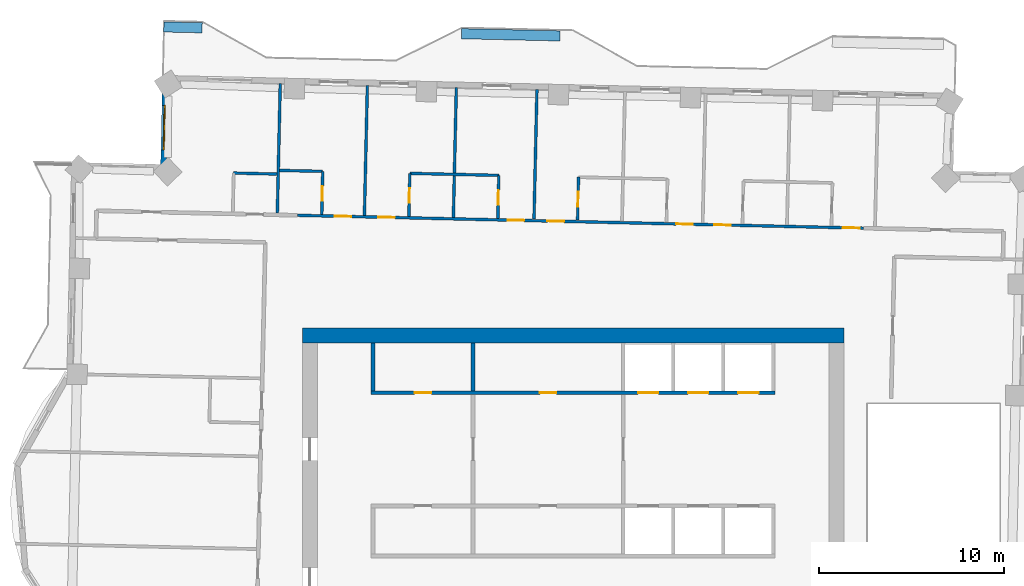
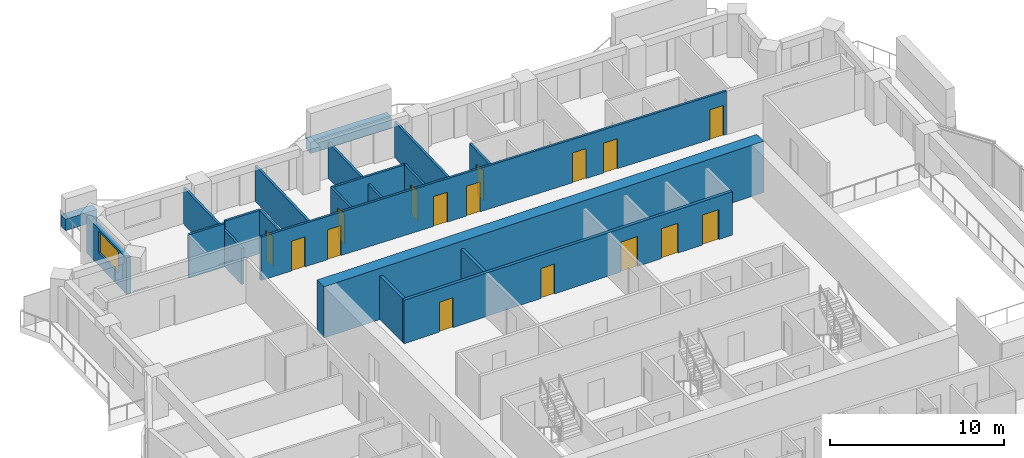
# One storey, part 8 of 14: 19 walls, 16 doors, 1 window, 17 openings.
"""IFC4 building model written with IfcOpenShell, lengths in metres."""

from ifc_helpers import new_model, si_unit, direction, frame, frame_2d, origin, place, context, subcontext, project, spatial, rectangle, extrude, material, layer, layer_set, type_object, element, fill, save


model = new_model("IFC4")

# Units and contexts
model_context = context("Model", 3, precision=1e-05, world=origin(), true_north=direction((0.0, 1.0)))
body_context = subcontext(model_context, "Body", "Model", "MODEL_VIEW")
ifc_project = project(units=[si_unit("LENGTHUNIT", "METRE"), si_unit("AREAUNIT", "SQUARE_METRE"), si_unit("VOLUMEUNIT", "CUBIC_METRE"), si_unit("PLANEANGLEUNIT", "RADIAN"), si_unit("MASSUNIT", "GRAM", prefix="KILO")], contexts=[model_context])

# Site, building, storey
site_placement = place(None, origin())
site = spatial("IfcSite", under=ifc_project, at=site_placement, CompositionType="ELEMENT")
building_placement = place(site_placement, origin())
building = spatial("IfcBuilding", under=site, at=building_placement, Name="Mangrove Gate Tower", CompositionType="ELEMENT")
storey_placement = place(building_placement, frame((0.0, 0.0, 208.699951171875)))
storey = spatial("IfcBuildingStorey", under=building, at=storey_placement, Name="L53", CompositionType="ELEMENT", Elevation=208.699951171875)

# Walls
ifc_material_1 = material(Name="Concrete C32/40", Category="concrete")
ifc_layer_1 = layer(ifc_material_1, 0.199951171875)
ifc_layer_set_1 = layer_set([ifc_layer_1], Name="Core room wall 200 C32/40")
wall_type_1 = type_object("IfcWallType", Name="Core room wall 200 C32/40", PredefinedType="STANDARD", material=ifc_layer_set_1)
for number, where, z_axis, x_axis, name in (
    (1, (-10.800048828125, 8.199951171875, 0.0), (0.0, 0.0, 1.0), (0.0, 1.0, 0.0), "WALL-L53-CORE-25"),
    (2, (-5.39990234375, 8.199951171875, 0.0), (0.0, 0.0, 1.0), (0.0, 1.0, 0.0), "WALL-L53-CORE-26"),
):
    element("IfcWall", number, at=place(storey_placement, frame(where, z_axis=z_axis, x_axis=x_axis)), inside=storey, type_object=wall_type_1, Name=name, PredefinedType="STANDARD", context=body_context, shape_type="SweptSolid", body=[
        extrude(rectangle(XDim=2.60009765625, YDim=0.199951171875, at=frame_2d((1.300048828125, 0.0))), origin(), (0.0, 0.0, 1.0), 3.050048828125),
    ])

# Wall, openings, doors
ifc_material_2 = material(Name="Concrete C60/75", Category="concrete")
ifc_layer_2 = layer(ifc_material_2, 0.199951171875)
ifc_layer_set_2 = layer_set([ifc_layer_2], Name="Core shaft wall 200 C60/75")
wall_type_2 = type_object("IfcWallType", Name="Core shaft wall 200 C60/75", PredefinedType="SHEAR", material=ifc_layer_set_2)
wall_1_placement = place(storey_placement, frame((-10.89990234375, 8.10009765625, 0.0), z_axis=(0.0, 0.0, 1.0), x_axis=(1.0, 0.0, 0.0)))
wall_1 = element("IfcWall", 3, at=wall_1_placement, inside=storey, type_object=wall_type_2, Name="WALL-L53-CORE-8", PredefinedType="SHEAR", context=body_context, shape_type="SweptSolid", body=[
    extrude(rectangle(XDim=21.7998046875, YDim=0.199951171875, at=frame_2d((10.89990234375, 0.0))), origin(), (0.0, 0.0, 1.0), 3.050048828125),
])
opening_1_placement = place(wall_1_placement, frame((14.39990234375, 0.0, 0.0)))
opening_1 = element("IfcOpeningElement", 4, at=opening_1_placement, cuts=wall_1, Name="Opening LD", PredefinedType="OPENING", context=body_context, shape_type="SweptSolid", body=[
    extrude(rectangle(XDim=1.10009765625, YDim=2.10009765625, at=frame_2d((0.550048828125, 1.050048828125))), frame((0.0, 0.10986328125, 0.0), z_axis=(0.0, -1.0, 0.0), x_axis=(1.0, 0.0, 0.0)), (0.0, 0.0, 1.0), 0.219970703125),
])
opening_2_placement = place(wall_1_placement, frame((17.10009765625, 0.0, 0.0)))
opening_2 = element("IfcOpeningElement", 5, at=opening_2_placement, cuts=wall_1, Name="Opening LD", PredefinedType="OPENING", context=body_context, shape_type="SweptSolid", body=[
    extrude(rectangle(XDim=1.10009765625, YDim=2.10009765625, at=frame_2d((0.550048828125, 1.050048828125))), frame((0.0, 0.10986328125, 0.0), z_axis=(0.0, -1.0, 0.0), x_axis=(1.0, 0.0, 0.0)), (0.0, 0.0, 1.0), 0.219970703125),
])
opening_3_placement = place(wall_1_placement, frame((19.800048828125, 0.0, 0.0)))
opening_3 = element("IfcOpeningElement", 6, at=opening_3_placement, cuts=wall_1, Name="Opening LD", PredefinedType="OPENING", context=body_context, shape_type="SweptSolid", body=[
    extrude(rectangle(XDim=1.10009765625, YDim=2.10009765625, at=frame_2d((0.550048828125, 1.050048828125))), frame((0.0, 0.10986328125, 0.0), z_axis=(0.0, -1.0, 0.0), x_axis=(1.0, 0.0, 0.0)), (0.0, 0.0, 1.0), 0.219970703125),
])
opening_4_placement = place(wall_1_placement, frame((2.35009765625, 0.0, 0.0)))
opening_4 = element("IfcOpeningElement", 7, at=opening_4_placement, cuts=wall_1, Name="Opening KD", PredefinedType="OPENING", context=body_context, shape_type="SweptSolid", body=[
    extrude(rectangle(XDim=0.89990234375, YDim=2.10009765625, at=frame_2d((0.449951171875, 1.050048828125))), frame((0.0, 0.10986328125, 0.0), z_axis=(0.0, -1.0, 0.0), x_axis=(1.0, 0.0, 0.0)), (0.0, 0.0, 1.0), 0.219970703125),
])
opening_5_placement = place(wall_1_placement, frame((9.10009765625, 0.0, 0.0)))
opening_5 = element("IfcOpeningElement", 8, at=opening_5_placement, cuts=wall_1, Name="Opening KD", PredefinedType="OPENING", context=body_context, shape_type="SweptSolid", body=[
    extrude(rectangle(XDim=0.89990234375, YDim=2.10009765625, at=frame_2d((0.449951171875, 1.050048828125))), frame((0.0, 0.10986328125, 0.0), z_axis=(0.0, -1.0, 0.0), x_axis=(1.0, 0.0, 0.0)), (0.0, 0.0, 1.0), 0.219970703125),
])
ifc_material_3 = material(Name="Fire-rated steel door set", Category="steel")
door_type_1 = type_object("IfcDoorType", Name="Core room door FD30S 900x2100", OperationType="SINGLE_SWING_RIGHT", PredefinedType="DOOR", material=ifc_material_3)
door_1_placement = place(opening_4_placement, origin())
door_1 = element("IfcDoor", 9, at=door_1_placement, inside=storey, type_object=door_type_1, Name="Core room door Core WC", OperationType="SINGLE_SWING_RIGHT", OverallHeight=2.10009765625, OverallWidth=0.89990234375, PredefinedType="DOOR", context=body_context, shape_type="SweptSolid", body=[
    extrude(rectangle(XDim=0.89990234375, YDim=2.10009765625, at=frame_2d((0.449951171875, 1.050048828125))), frame((0.0, 0.02490234375, 0.0), z_axis=(0.0, -1.0, 0.0), x_axis=(1.0, 0.0, 0.0)), (0.0, 0.0, 1.0), 0.050048828125),
])
fill(opening_4, door_1)
door_2_placement = place(opening_5_placement, origin())
door_2 = element("IfcDoor", 10, at=door_2_placement, inside=storey, type_object=door_type_1, Name="Core room door Pantry store", OperationType="SINGLE_SWING_RIGHT", OverallHeight=2.10009765625, OverallWidth=0.89990234375, PredefinedType="DOOR", context=body_context, shape_type="SweptSolid", body=[
    extrude(rectangle(XDim=0.89990234375, YDim=2.10009765625, at=frame_2d((0.449951171875, 1.050048828125))), frame((0.0, 0.02490234375, 0.0), z_axis=(0.0, -1.0, 0.0), x_axis=(1.0, 0.0, 0.0)), (0.0, 0.0, 1.0), 0.050048828125),
])
fill(opening_5, door_2)
ifc_material_4 = material(Name="Stainless steel 316", Category="steel")
door_type_2 = type_object("IfcDoorType", Name="Lift landing door 1100x2100", OperationType="SLIDING_TO_LEFT", PredefinedType="DOOR", material=ifc_material_4)
door_3_placement = place(opening_1_placement, origin())
door_3 = element("IfcDoor", 11, at=door_3_placement, inside=storey, type_object=door_type_2, Name="Landing door LD M04", OperationType="SLIDING_TO_LEFT", OverallHeight=2.10009765625, OverallWidth=1.10009765625, PredefinedType="DOOR", context=body_context, shape_type="SweptSolid", body=[
    extrude(rectangle(XDim=1.10009765625, YDim=2.10009765625, at=frame_2d((0.550048828125, 1.050048828125))), frame((0.0, 0.02490234375, 0.0), z_axis=(0.0, -1.0, 0.0), x_axis=(1.0, 0.0, 0.0)), (0.0, 0.0, 1.0), 0.050048828125),
])
fill(opening_1, door_3)
door_4_placement = place(opening_2_placement, origin())
door_4 = element("IfcDoor", 12, at=door_4_placement, inside=storey, type_object=door_type_2, Name="Landing door LD M05", OperationType="SLIDING_TO_LEFT", OverallHeight=2.10009765625, OverallWidth=1.10009765625, PredefinedType="DOOR", context=body_context, shape_type="SweptSolid", body=[
    extrude(rectangle(XDim=1.10009765625, YDim=2.10009765625, at=frame_2d((0.550048828125, 1.050048828125))), frame((0.0, 0.02490234375, 0.0), z_axis=(0.0, -1.0, 0.0), x_axis=(1.0, 0.0, 0.0)), (0.0, 0.0, 1.0), 0.050048828125),
])
fill(opening_2, door_4)
door_5_placement = place(opening_3_placement, origin())
door_5 = element("IfcDoor", 13, at=door_5_placement, inside=storey, type_object=door_type_2, Name="Landing door LD M06", OperationType="SLIDING_TO_LEFT", OverallHeight=2.10009765625, OverallWidth=1.10009765625, PredefinedType="DOOR", context=body_context, shape_type="SweptSolid", body=[
    extrude(rectangle(XDim=1.10009765625, YDim=2.10009765625, at=frame_2d((0.550048828125, 1.050048828125))), frame((0.0, 0.02490234375, 0.0), z_axis=(0.0, -1.0, 0.0), x_axis=(1.0, 0.0, 0.0)), (0.0, 0.0, 1.0), 0.050048828125),
])
fill(opening_3, door_5)

# Wall
ifc_material_5 = material(Name="Concrete C60/75", Category="concrete")
ifc_layer_3 = layer(ifc_material_5, 0.800048828125)
ifc_layer_set_3 = layer_set([ifc_layer_3], Name="Core wall 800 C60/75")
wall_type_3 = type_object("IfcWallType", Name="Core wall 800 C60/75", PredefinedType="SHEAR", material=ifc_layer_set_3)
wall_2_placement = place(storey_placement, frame((-14.60009765625, 11.199951171875, 0.0), z_axis=(0.0, 0.0, 1.0), x_axis=(1.0, 0.0, 0.0)))
element("IfcWall", 14, at=wall_2_placement, inside=storey, type_object=wall_type_3, Name="WALL-L53-CORE-2", PredefinedType="SHEAR", context=body_context, shape_type="SweptSolid", body=[
    extrude(rectangle(XDim=29.2001953125, YDim=0.800048828125, at=frame_2d((14.60009765625, 0.0))), origin(), (0.0, 0.0, 1.0), 3.60009765625),
])

# Wall, opening, window
ifc_material_6 = material(Name="Limestone", Category="masonry")
ifc_layer_4 = layer(ifc_material_6, 0.0400390625, Name="Limestone cladding")
ifc_material_7 = material(Name="Ventilated air gap")
ifc_layer_5 = layer(ifc_material_7, 0.0400390625, Name="Ventilated cavity")
ifc_material_8 = material(Name="Mineral wool insulation")
ifc_layer_6 = layer(ifc_material_8, 0.06005859375, Name="Insulation")
ifc_material_9 = material(Name="Breather membrane")
ifc_layer_7 = layer(ifc_material_9, 0.001953125, Name="Breather membrane")
ifc_material_10 = material(Name="Concrete C20/25 blockwork", Category="masonry")
ifc_layer_8 = layer(ifc_material_10, 0.14990234375, Name="Blockwork backing wall")
ifc_material_11 = material(Name="Gypsum plaster")
ifc_layer_9 = layer(ifc_material_11, 0.008056640625, Name="Internal plaster")
ifc_layer_set_4 = layer_set([ifc_layer_4, ifc_layer_5, ifc_layer_6, ifc_layer_7, ifc_layer_8, ifc_layer_9], Name="External wall 300 limestone cladding")
wall_type_4 = type_object("IfcWallType", Name="External wall 300 limestone cladding", PredefinedType="SOLIDWALL", material=ifc_layer_set_4)
wall_3_placement = place(storey_placement, frame((-21.99609375, 25.069091796875, 0.0), z_axis=(0.0, 0.0, 1.0), x_axis=(-0.022683280499, -0.999742701292, 0.0)))
wall_3 = element("IfcWall", 15, at=wall_3_placement, inside=storey, type_object=wall_type_4, Name="WALL-L53-W6", PredefinedType="SOLIDWALL", context=body_context, shape_type="SweptSolid", body=[
    extrude(rectangle(XDim=4.80029296875, YDim=0.300048828125, at=frame_2d((2.400146484375, 0.0))), origin(), (0.0, 0.0, 1.0), 2.550048828125),
])
opening_6_placement = place(wall_3_placement, frame((1.466064453125, 0.0, 0.89990234375)))
opening_6 = element("IfcOpeningElement", 16, at=opening_6_placement, cuts=wall_3, Name="Opening W2", PredefinedType="OPENING", context=body_context, shape_type="SweptSolid", body=[
    extrude(rectangle(XDim=2.39990234375, YDim=1.5, at=frame_2d((1.199951171875, 0.75))), frame((0.0, 0.159912109375, 0.0), z_axis=(0.0, -1.0, 0.0), x_axis=(1.0, 0.0, 0.0)), (0.0, 0.0, 1.0), 0.320068359375),
])
ifc_material_12 = material(Name="Aluminium frame with double-glazed low-e glass", Category="aluminium")
window_type = type_object("IfcWindowType", Name="Corner room window 2400x1500", PartitioningType="DOUBLE_PANEL_VERTICAL", PredefinedType="WINDOW", material=ifc_material_12)
window_placement = place(opening_6_placement, origin())
window = element("IfcWindow", 17, at=window_placement, inside=storey, type_object=window_type, Name="WIN-L53-W6-1", OverallHeight=1.5, OverallWidth=2.39990234375, PartitioningType="DOUBLE_PANEL_VERTICAL", PredefinedType="WINDOW", context=body_context, shape_type="SweptSolid", body=[
    extrude(rectangle(XDim=2.39990234375, YDim=1.5, at=frame_2d((1.199951171875, 0.75))), frame((0.0, 0.030029296875, 0.0), z_axis=(0.0, -1.0, 0.0), x_axis=(1.0, 0.0, 0.0)), (0.0, 0.0, 1.0), 0.06005859375),
])
fill(opening_6, window)

# Wall, openings, doors
ifc_material_13 = material(Name="Gypsum board on steel stud, EI 60", Category="steel")
ifc_layer_10 = layer(ifc_material_13, 0.14990234375)
ifc_layer_set_5 = layer_set([ifc_layer_10], Name="Party wall 150 EI 60")
wall_type_5 = type_object("IfcWallType", Name="Party wall 150 EI 60", PredefinedType="PARTITIONING", material=ifc_layer_set_5)
wall_4_placement = place(storey_placement, frame((-14.87109375, 17.675048828125, 0.0), z_axis=(0.0, 0.0, 1.0), x_axis=(0.999742359486, -0.02269834024, 0.0)))
wall_4 = element("IfcWall", 18, at=wall_4_placement, inside=storey, type_object=wall_type_5, Name="WALL-L53-052", PredefinedType="PARTITIONING", context=body_context, shape_type="SweptSolid", body=[
    extrude(rectangle(XDim=30.535888671875, YDim=0.14990234375, at=frame_2d((15.26806640625, 0.0))), origin(), (0.0, 0.0, 1.0), 3.050048828125),
])
opening_7_placement = place(wall_4_placement, frame((29.43603515625, 0.0, 0.0)))
opening_7 = element("IfcOpeningElement", 19, at=opening_7_placement, cuts=wall_4, Name="Opening BD", PredefinedType="OPENING", context=body_context, shape_type="SweptSolid", body=[
    extrude(rectangle(XDim=0.89990234375, YDim=2.10009765625, at=frame_2d((0.449951171875, 1.050048828125))), frame((0.0, 0.0849609375, 0.0), z_axis=(0.0, -1.0, 0.0), x_axis=(1.0, 0.0, 0.0)), (0.0, 0.0, 1.0), 0.169921875),
])
opening_8_placement = place(wall_4_placement, frame((22.48388671875, 0.0, 0.0)))
opening_8 = element("IfcOpeningElement", 20, at=opening_8_placement, cuts=wall_4, Name="Opening BD", PredefinedType="OPENING", context=body_context, shape_type="SweptSolid", body=[
    extrude(rectangle(XDim=0.89990234375, YDim=2.10009765625, at=frame_2d((0.449951171875, 1.050048828125))), frame((0.0, 0.0849609375, 0.0), z_axis=(0.0, -1.0, 0.0), x_axis=(1.0, 0.0, 0.0)), (0.0, 0.0, 1.0), 0.169921875),
])
opening_9_placement = place(wall_4_placement, frame((20.43408203125, 0.0, 0.0)))
opening_9 = element("IfcOpeningElement", 21, at=opening_9_placement, cuts=wall_4, Name="Opening BD", PredefinedType="OPENING", context=body_context, shape_type="SweptSolid", body=[
    extrude(rectangle(XDim=0.89990234375, YDim=2.10009765625, at=frame_2d((0.449951171875, 1.050048828125))), frame((0.0, 0.0849609375, 0.0), z_axis=(0.0, -1.0, 0.0), x_axis=(1.0, 0.0, 0.0)), (0.0, 0.0, 1.0), 0.169921875),
])
opening_10_placement = place(wall_4_placement, frame((13.48388671875, 0.0, 0.0)))
opening_10 = element("IfcOpeningElement", 22, at=opening_10_placement, cuts=wall_4, Name="Opening BD", PredefinedType="OPENING", context=body_context, shape_type="SweptSolid", body=[
    extrude(rectangle(XDim=0.89990234375, YDim=2.10009765625, at=frame_2d((0.449951171875, 1.050048828125))), frame((0.0, 0.0849609375, 0.0), z_axis=(0.0, -1.0, 0.0), x_axis=(1.0, 0.0, 0.0)), (0.0, 0.0, 1.0), 0.169921875),
])
opening_11_placement = place(wall_4_placement, frame((11.333984375, 0.0, 0.0)))
opening_11 = element("IfcOpeningElement", 23, at=opening_11_placement, cuts=wall_4, Name="Opening BD", PredefinedType="OPENING", context=body_context, shape_type="SweptSolid", body=[
    extrude(rectangle(XDim=0.89990234375, YDim=2.10009765625, at=frame_2d((0.449951171875, 1.050048828125))), frame((0.0, 0.0849609375, 0.0), z_axis=(0.0, -1.0, 0.0), x_axis=(1.0, 0.0, 0.0)), (0.0, 0.0, 1.0), 0.169921875),
])
opening_12_placement = place(wall_4_placement, frame((4.35888671875, 0.0, 0.0)))
opening_12 = element("IfcOpeningElement", 24, at=opening_12_placement, cuts=wall_4, Name="Opening BD", PredefinedType="OPENING", context=body_context, shape_type="SweptSolid", body=[
    extrude(rectangle(XDim=0.89990234375, YDim=2.10009765625, at=frame_2d((0.449951171875, 1.050048828125))), frame((0.0, 0.0849609375, 0.0), z_axis=(0.0, -1.0, 0.0), x_axis=(1.0, 0.0, 0.0)), (0.0, 0.0, 1.0), 0.169921875),
])
opening_13_placement = place(wall_4_placement, frame((2.009033203125, 0.0, 0.0)))
opening_13 = element("IfcOpeningElement", 25, at=opening_13_placement, cuts=wall_4, Name="Opening BD", PredefinedType="OPENING", context=body_context, shape_type="SweptSolid", body=[
    extrude(rectangle(XDim=0.89990234375, YDim=2.10009765625, at=frame_2d((0.449951171875, 1.050048828125))), frame((0.0, 0.0849609375, 0.0), z_axis=(0.0, -1.0, 0.0), x_axis=(1.0, 0.0, 0.0)), (0.0, 0.0, 1.0), 0.169921875),
])
ifc_material_14 = material(Name="Timber door leaf", Category="wood")
door_type_3 = type_object("IfcDoorType", Name="Bedroom door 900", OperationType="SINGLE_SWING_LEFT", PredefinedType="DOOR", material=ifc_material_14)
door_6_placement = place(opening_7_placement, origin())
door_6 = element("IfcDoor", 26, at=door_6_placement, inside=storey, type_object=door_type_3, Name="DOOR-L53-BED-c308", OperationType="SINGLE_SWING_RIGHT", OverallHeight=2.10009765625, OverallWidth=0.89990234375, PredefinedType="DOOR", context=body_context, shape_type="SweptSolid", body=[
    extrude(rectangle(XDim=0.89990234375, YDim=2.10009765625, at=frame_2d((0.449951171875, 1.050048828125))), frame((0.0, 0.02490234375, 0.0), z_axis=(0.0, -1.0, 0.0), x_axis=(1.0, 0.0, 0.0)), (0.0, 0.0, 1.0), 0.050048828125),
])
fill(opening_7, door_6)
door_7_placement = place(opening_8_placement, origin())
door_7 = element("IfcDoor", 27, at=door_7_placement, inside=storey, type_object=door_type_3, Name="DOOR-L53-BED-c309", OperationType="SINGLE_SWING_LEFT", OverallHeight=2.10009765625, OverallWidth=0.89990234375, PredefinedType="DOOR", context=body_context, shape_type="SweptSolid", body=[
    extrude(rectangle(XDim=0.89990234375, YDim=2.10009765625, at=frame_2d((0.449951171875, 1.050048828125))), frame((0.0, 0.02490234375, 0.0), z_axis=(0.0, -1.0, 0.0), x_axis=(1.0, 0.0, 0.0)), (0.0, 0.0, 1.0), 0.050048828125),
])
fill(opening_8, door_7)
door_8_placement = place(opening_9_placement, origin())
door_8 = element("IfcDoor", 28, at=door_8_placement, inside=storey, type_object=door_type_3, Name="DOOR-L53-BED-c410", OperationType="SINGLE_SWING_RIGHT", OverallHeight=2.10009765625, OverallWidth=0.89990234375, PredefinedType="DOOR", context=body_context, shape_type="SweptSolid", body=[
    extrude(rectangle(XDim=0.89990234375, YDim=2.10009765625, at=frame_2d((0.449951171875, 1.050048828125))), frame((0.0, 0.02490234375, 0.0), z_axis=(0.0, -1.0, 0.0), x_axis=(1.0, 0.0, 0.0)), (0.0, 0.0, 1.0), 0.050048828125),
])
fill(opening_9, door_8)
door_9_placement = place(opening_10_placement, origin())
door_9 = element("IfcDoor", 29, at=door_9_placement, inside=storey, type_object=door_type_3, Name="DOOR-L53-BED-c411", OperationType="SINGLE_SWING_LEFT", OverallHeight=2.10009765625, OverallWidth=0.89990234375, PredefinedType="DOOR", context=body_context, shape_type="SweptSolid", body=[
    extrude(rectangle(XDim=0.89990234375, YDim=2.10009765625, at=frame_2d((0.449951171875, 1.050048828125))), frame((0.0, 0.02490234375, 0.0), z_axis=(0.0, -1.0, 0.0), x_axis=(1.0, 0.0, 0.0)), (0.0, 0.0, 1.0), 0.050048828125),
])
fill(opening_10, door_9)
door_10_placement = place(opening_11_placement, origin())
door_10 = element("IfcDoor", 30, at=door_10_placement, inside=storey, type_object=door_type_3, Name="DOOR-L53-BED-c412", OperationType="SINGLE_SWING_RIGHT", OverallHeight=2.10009765625, OverallWidth=0.89990234375, PredefinedType="DOOR", context=body_context, shape_type="SweptSolid", body=[
    extrude(rectangle(XDim=0.89990234375, YDim=2.10009765625, at=frame_2d((0.449951171875, 1.050048828125))), frame((0.0, 0.02490234375, 0.0), z_axis=(0.0, -1.0, 0.0), x_axis=(1.0, 0.0, 0.0)), (0.0, 0.0, 1.0), 0.050048828125),
])
fill(opening_11, door_10)
door_11_placement = place(opening_12_placement, origin())
door_11 = element("IfcDoor", 31, at=door_11_placement, inside=storey, type_object=door_type_3, Name="DOOR-L53-BED-c513", OperationType="SINGLE_SWING_LEFT", OverallHeight=2.10009765625, OverallWidth=0.89990234375, PredefinedType="DOOR", context=body_context, shape_type="SweptSolid", body=[
    extrude(rectangle(XDim=0.89990234375, YDim=2.10009765625, at=frame_2d((0.449951171875, 1.050048828125))), frame((0.0, 0.02490234375, 0.0), z_axis=(0.0, -1.0, 0.0), x_axis=(1.0, 0.0, 0.0)), (0.0, 0.0, 1.0), 0.050048828125),
])
fill(opening_12, door_11)
door_12_placement = place(opening_13_placement, origin())
door_12 = element("IfcDoor", 32, at=door_12_placement, inside=storey, type_object=door_type_3, Name="DOOR-L53-BED-c514", OperationType="SINGLE_SWING_RIGHT", OverallHeight=2.10009765625, OverallWidth=0.89990234375, PredefinedType="DOOR", context=body_context, shape_type="SweptSolid", body=[
    extrude(rectangle(XDim=0.89990234375, YDim=2.10009765625, at=frame_2d((0.449951171875, 1.050048828125))), frame((0.0, 0.02490234375, 0.0), z_axis=(0.0, -1.0, 0.0), x_axis=(1.0, 0.0, 0.0)), (0.0, 0.0, 1.0), 0.050048828125),
])
fill(opening_13, door_12)

# Wall
wall_5_placement = place(storey_placement, frame((-15.95703125, 17.803955078125, 0.0), z_axis=(0.0, 0.0, 1.0), x_axis=(0.022643496158, 0.999743603171, 0.0)))
element("IfcWall", 33, at=wall_5_placement, inside=storey, type_object=wall_type_5, Name="WALL-L53-055", PredefinedType="PARTITIONING", context=body_context, shape_type="SweptSolid", body=[
    extrude(rectangle(XDim=6.975830078125, YDim=0.14990234375, at=frame_2d((3.48779296875, 0.0))), origin(), (0.0, 0.0, 1.0), 2.550048828125),
])

# Wall, opening, door
wall_6_placement = place(storey_placement, frame((-13.55810546875, 17.72412109375, 0.0), z_axis=(0.0, 0.0, 1.0), x_axis=(0.022361308448, 0.999749954681, 0.0)))
wall_6 = element("IfcWall", 34, at=wall_6_placement, inside=storey, type_object=wall_type_5, Name="WALL-L53-056", PredefinedType="PARTITIONING", context=body_context, shape_type="SweptSolid", body=[
    extrude(rectangle(XDim=2.325439453125, YDim=0.14990234375, at=frame_2d((1.16259765625, 0.0))), origin(), (0.0, 0.0, 1.0), 3.050048828125),
])
opening_14_placement = place(wall_6_placement, frame((0.72509765625, 0.0, 0.0)))
opening_14 = element("IfcOpeningElement", 35, at=opening_14_placement, cuts=wall_6, Name="Opening ED", PredefinedType="OPENING", context=body_context, shape_type="SweptSolid", body=[
    extrude(rectangle(XDim=0.800048828125, YDim=2.10009765625, at=frame_2d((0.39990234375, 1.050048828125))), frame((0.0, 0.0849609375, 0.0), z_axis=(0.0, -1.0, 0.0), x_axis=(1.0, 0.0, 0.0)), (0.0, 0.0, 1.0), 0.169921875),
])
ifc_material_15 = material(Name="Timber door leaf", Category="wood")
door_type_4 = type_object("IfcDoorType", Name="En-suite door 800", OperationType="SINGLE_SWING_LEFT", PredefinedType="DOOR", material=ifc_material_15)
door_13_placement = place(opening_14_placement, origin())
door_13 = element("IfcDoor", 36, at=door_13_placement, inside=storey, type_object=door_type_4, Name="DOOR-L53-ENS-c514", OperationType="SINGLE_SWING_RIGHT", OverallHeight=2.10009765625, OverallWidth=0.800048828125, PredefinedType="DOOR", context=body_context, shape_type="SweptSolid", body=[
    extrude(rectangle(XDim=0.800048828125, YDim=2.10009765625, at=frame_2d((0.39990234375, 1.050048828125))), frame((0.0, 0.02490234375, 0.0), z_axis=(0.0, -1.0, 0.0), x_axis=(1.0, 0.0, 0.0)), (0.0, 0.0, 1.0), 0.050048828125),
])
fill(opening_14, door_13)

# Wall
wall_7_placement = place(storey_placement, frame((-11.259033203125, 17.672119140625, 0.0), z_axis=(0.0, 0.0, 1.0), x_axis=(0.022699227919, 0.999742339331, 0.0)))
element("IfcWall", 37, at=wall_7_placement, inside=storey, type_object=wall_type_5, Name="WALL-L53-057", PredefinedType="PARTITIONING", context=body_context, shape_type="SweptSolid", body=[
    extrude(rectangle(XDim=7.001708984375, YDim=0.14990234375, at=frame_2d((3.5009765625, 0.0))), origin(), (0.0, 0.0, 1.0), 2.5),
])

# Wall, opening, door
wall_8_placement = place(storey_placement, frame((-8.860107421875, 17.617919921875, 0.0), z_axis=(0.0, 0.0, 1.0), x_axis=(0.022895561926, 0.999737862264, 0.0)))
wall_8 = element("IfcWall", 38, at=wall_8_placement, inside=storey, type_object=wall_type_5, Name="WALL-L53-058", PredefinedType="PARTITIONING", context=body_context, shape_type="SweptSolid", body=[
    extrude(rectangle(XDim=2.324462890625, YDim=0.14990234375, at=frame_2d((1.162109375, 0.0))), origin(), (0.0, 0.0, 1.0), 3.050048828125),
])
opening_15_placement = place(wall_8_placement, frame((0.72509765625, 0.0, 0.0)))
opening_15 = element("IfcOpeningElement", 39, at=opening_15_placement, cuts=wall_8, Name="Opening ED", PredefinedType="OPENING", context=body_context, shape_type="SweptSolid", body=[
    extrude(rectangle(XDim=0.800048828125, YDim=2.10009765625, at=frame_2d((0.39990234375, 1.050048828125))), frame((0.0, 0.0849609375, 0.0), z_axis=(0.0, -1.0, 0.0), x_axis=(1.0, 0.0, 0.0)), (0.0, 0.0, 1.0), 0.169921875),
])
door_14_placement = place(opening_15_placement, origin())
door_14 = element("IfcDoor", 40, at=door_14_placement, inside=storey, type_object=door_type_4, Name="DOOR-L53-ENS-c513", OperationType="SINGLE_SWING_LEFT", OverallHeight=2.10009765625, OverallWidth=0.800048828125, PredefinedType="DOOR", context=body_context, shape_type="SweptSolid", body=[
    extrude(rectangle(XDim=0.800048828125, YDim=2.10009765625, at=frame_2d((0.39990234375, 1.050048828125))), frame((0.0, 0.02490234375, 0.0), z_axis=(0.0, -1.0, 0.0), x_axis=(1.0, 0.0, 0.0)), (0.0, 0.0, 1.0), 0.050048828125),
])
fill(opening_15, door_14)

# Wall
wall_9_placement = place(storey_placement, frame((-6.4599609375, 17.56298828125, 0.0), z_axis=(0.0, 0.0, 1.0), x_axis=(0.022699227919, 0.999742339331, 0.0)))
element("IfcWall", 41, at=wall_9_placement, inside=storey, type_object=wall_type_5, Name="WALL-L53-059", PredefinedType="PARTITIONING", context=body_context, shape_type="SweptSolid", body=[
    extrude(rectangle(XDim=7.001708984375, YDim=0.14990234375, at=frame_2d((3.5009765625, 0.0))), origin(), (0.0, 0.0, 1.0), 2.5),
])

# Wall, opening, door
wall_10_placement = place(storey_placement, frame((-4.06103515625, 17.509033203125, 0.0), z_axis=(0.0, 0.0, 1.0), x_axis=(0.02279059109, 0.999740260747, 0.0)))
wall_10 = element("IfcWall", 42, at=wall_10_placement, inside=storey, type_object=wall_type_5, Name="WALL-L53-060", PredefinedType="PARTITIONING", context=body_context, shape_type="SweptSolid", body=[
    extrude(rectangle(XDim=2.324462890625, YDim=0.14990234375, at=frame_2d((1.162109375, 0.0))), origin(), (0.0, 0.0, 1.0), 3.050048828125),
])
opening_16_placement = place(wall_10_placement, frame((0.72509765625, 0.0, 0.0)))
opening_16 = element("IfcOpeningElement", 43, at=opening_16_placement, cuts=wall_10, Name="Opening ED", PredefinedType="OPENING", context=body_context, shape_type="SweptSolid", body=[
    extrude(rectangle(XDim=0.800048828125, YDim=2.10009765625, at=frame_2d((0.39990234375, 1.050048828125))), frame((0.0, 0.0849609375, 0.0), z_axis=(0.0, -1.0, 0.0), x_axis=(1.0, 0.0, 0.0)), (0.0, 0.0, 1.0), 0.169921875),
])
door_15_placement = place(opening_16_placement, origin())
door_15 = element("IfcDoor", 44, at=door_15_placement, inside=storey, type_object=door_type_4, Name="DOOR-L53-ENS-c412", OperationType="SINGLE_SWING_RIGHT", OverallHeight=2.10009765625, OverallWidth=0.800048828125, PredefinedType="DOOR", context=body_context, shape_type="SweptSolid", body=[
    extrude(rectangle(XDim=0.800048828125, YDim=2.10009765625, at=frame_2d((0.39990234375, 1.050048828125))), frame((0.0, 0.02490234375, 0.0), z_axis=(0.0, -1.0, 0.0), x_axis=(1.0, 0.0, 0.0)), (0.0, 0.0, 1.0), 0.050048828125),
])
fill(opening_16, door_15)

# Wall
wall_11_placement = place(storey_placement, frame((-2.111083984375, 17.465087890625, 0.0), z_axis=(0.0, 0.0, 1.0), x_axis=(0.022597827698, 0.999744636486, 0.0)))
element("IfcWall", 45, at=wall_11_placement, inside=storey, type_object=wall_type_5, Name="WALL-L53-061", PredefinedType="PARTITIONING", context=body_context, shape_type="SweptSolid", body=[
    extrude(rectangle(XDim=7.000732421875, YDim=0.14990234375, at=frame_2d((3.50048828125, 0.0))), origin(), (0.0, 0.0, 1.0), 2.5),
])

# Wall, opening, door
wall_12_placement = place(storey_placement, frame((0.238037109375, 17.410888671875, 0.0), z_axis=(0.0, 0.0, 1.0), x_axis=(0.022778632478, 0.99974053329, 0.0)))
wall_12 = element("IfcWall", 46, at=wall_12_placement, inside=storey, type_object=wall_type_5, Name="WALL-L53-062", PredefinedType="PARTITIONING", context=body_context, shape_type="SweptSolid", body=[
    extrude(rectangle(XDim=2.32568359375, YDim=0.14990234375, at=frame_2d((1.162841796875, 0.0))), origin(), (0.0, 0.0, 1.0), 3.050048828125),
])
opening_17_placement = place(wall_12_placement, frame((0.72509765625, 0.0, 0.0)))
opening_17 = element("IfcOpeningElement", 47, at=opening_17_placement, cuts=wall_12, Name="Opening ED", PredefinedType="OPENING", context=body_context, shape_type="SweptSolid", body=[
    extrude(rectangle(XDim=0.800048828125, YDim=2.10009765625, at=frame_2d((0.39990234375, 1.050048828125))), frame((0.0, 0.0849609375, 0.0), z_axis=(0.0, -1.0, 0.0), x_axis=(1.0, 0.0, 0.0)), (0.0, 0.0, 1.0), 0.169921875),
])
door_16_placement = place(opening_17_placement, origin())
door_16 = element("IfcDoor", 48, at=door_16_placement, inside=storey, type_object=door_type_4, Name="DOOR-L53-ENS-c411", OperationType="SINGLE_SWING_LEFT", OverallHeight=2.10009765625, OverallWidth=0.800048828125, PredefinedType="DOOR", context=body_context, shape_type="SweptSolid", body=[
    extrude(rectangle(XDim=0.800048828125, YDim=2.10009765625, at=frame_2d((0.39990234375, 1.050048828125))), frame((0.0, 0.02490234375, 0.0), z_axis=(0.0, -1.0, 0.0), x_axis=(1.0, 0.0, 0.0)), (0.0, 0.0, 1.0), 0.050048828125),
])
fill(opening_17, door_16)

# Walls
for number, where, z_axis, x_axis, name in (
    (49, (-18.31103515625, 19.9541015625, 0.0), (0.0, 0.0, 1.0), (0.999737862264, -0.022895561926, 0.0), "WALL-L53-070"),
    (50, (-15.83203125, 20.097900390625, 0.0), (0.0, 0.0, 1.0), (0.999740260747, -0.02279059109, 0.0), "WALL-L53-071"),
):
    element("IfcWall", number, at=place(storey_placement, frame(where, z_axis=z_axis, x_axis=x_axis)), inside=storey, type_object=wall_type_5, Name=name, PredefinedType="PARTITIONING", context=body_context, shape_type="SweptSolid", body=[
        extrude(rectangle(XDim=2.324462890625, YDim=0.14990234375, at=frame_2d((1.162109375, 0.0))), origin(), (0.0, 0.0, 1.0), 3.050048828125),
    ])
wall_13_placement = place(storey_placement, frame((-8.80908203125, 19.93798828125, 0.0), z_axis=(0.0, 0.0, 1.0), x_axis=(0.999742701292, -0.022683280499, 0.0)))
element("IfcWall", 51, at=wall_13_placement, inside=storey, type_object=wall_type_5, Name="WALL-L53-072", PredefinedType="PARTITIONING", context=body_context, shape_type="SweptSolid", body=[
    extrude(rectangle(XDim=4.80029296875, YDim=0.14990234375, at=frame_2d((2.400146484375, 0.0))), origin(), (0.0, 0.0, 1.0), 3.050048828125),
])
ifc_material_16 = material(Name="Concrete C32/40", Category="concrete")
ifc_layer_11 = layer(ifc_material_16, 0.199951171875, Name="Planter trough wall")
ifc_material_17 = material(Name="Bituminous waterproofing membrane")
ifc_layer_12 = layer(ifc_material_17, 0.0048828125, Name="Waterproofing")
ifc_material_18 = material(Name="Drainage board and gravel")
ifc_layer_13 = layer(ifc_material_18, 0.044921875, Name="Drainage layer")
ifc_material_19 = material(Name="Planting soil")
ifc_layer_14 = layer(ifc_material_19, 0.300048828125, Name="Growing medium")
ifc_layer_set_6 = layer_set([ifc_layer_11, ifc_layer_12, ifc_layer_13, ifc_layer_14], Name="Planter wall 550 C32/40")
wall_type_6 = type_object("IfcWallType", Name="Planter wall 550 C32/40", PredefinedType="USERDEFINED", material=ifc_layer_set_6)
wall_14_placement = place(storey_placement, frame((-22.0830078125, 27.8359375, 0.0), z_axis=(0.0, 0.0, 1.0), x_axis=(0.999744201853, -0.022617048045, 0.0)))
element("IfcWall", 52, at=wall_14_placement, inside=storey, type_object=wall_type_6, Name="PLANTER L53 N1.1", ObjectType="PLANTER", PredefinedType="USERDEFINED", context=body_context, shape_type="SweptSolid", body=[
    extrude(rectangle(XDim=2.072509765625, YDim=0.550048828125, at=frame_2d((1.0361328125, 0.0))), origin(), (0.0, 0.0, 1.0), 0.800048828125),
])
wall_15_placement = place(storey_placement, frame((-6.014892578125, 27.471923828125, 0.0), z_axis=(0.0, 0.0, 1.0), x_axis=(0.999744208111, -0.022616771387, 0.0)))
element("IfcWall", 53, at=wall_15_placement, inside=storey, type_object=wall_type_6, Name="PLANTER L53 N1.2", ObjectType="PLANTER", PredefinedType="USERDEFINED", context=body_context, shape_type="SweptSolid", body=[
    extrude(rectangle(XDim=5.30029296875, YDim=0.550048828125, at=frame_2d((2.650146484375, 0.0))), origin(), (0.0, 0.0, 1.0), 0.800048828125),
])

save(model, "model.ifc")
